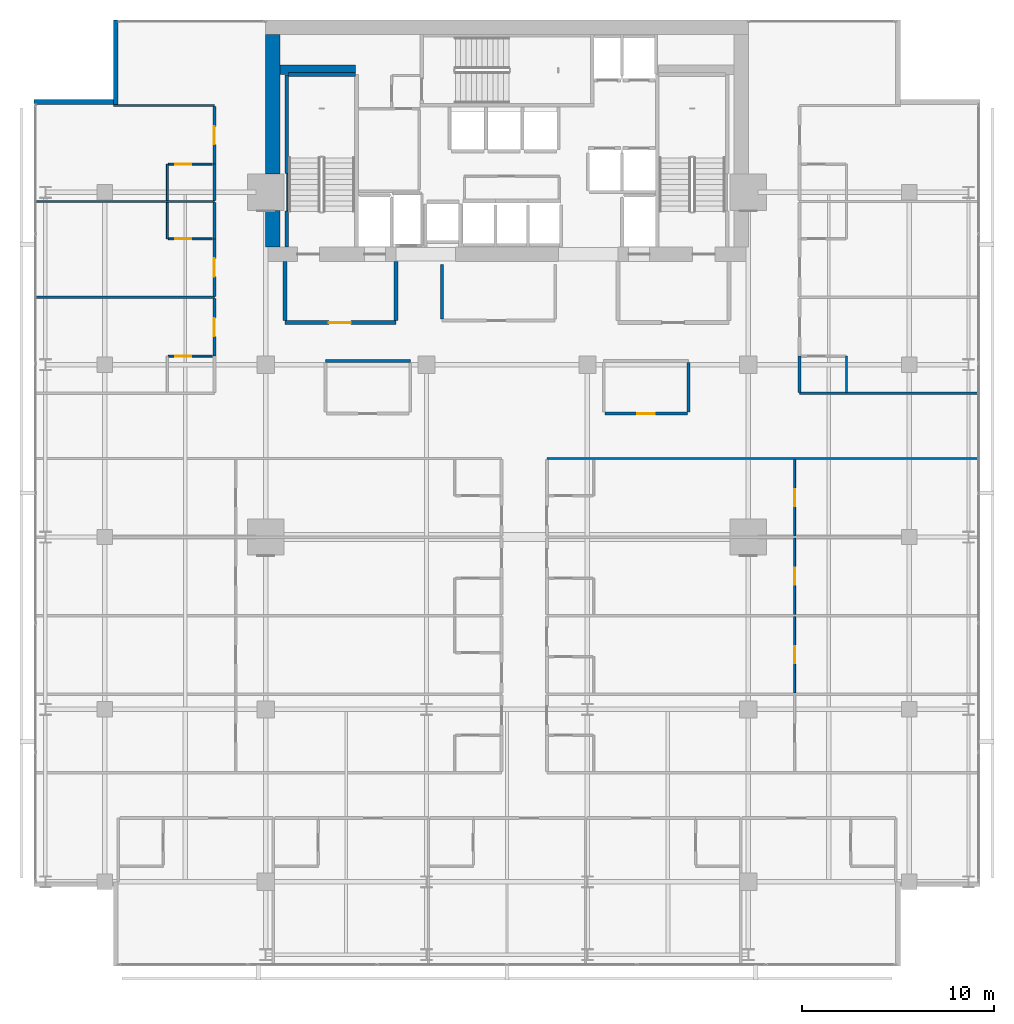
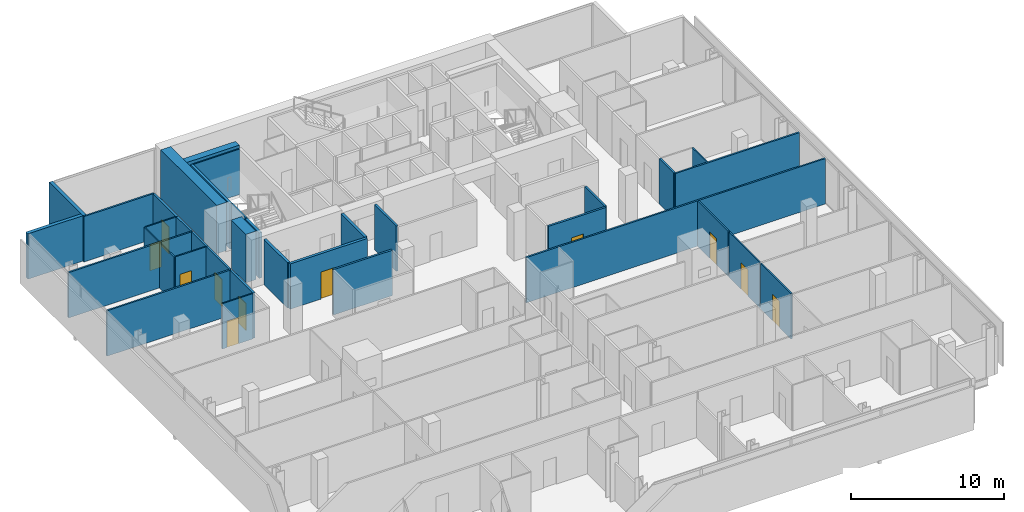
# One storey, part 29 of 34: 36 walls, 11 doors, 11 openings.
"""IFC4 building model written with IfcOpenShell, lengths in metres."""

from ifc_helpers import new_model, si_unit, direction, frame, frame_2d, origin, place, context, subcontext, project, spatial, rectangle, extrude, material, layer, layer_set, type_object, element, fill, save


model = new_model("IFC4")

# Units and contexts
model_context = context("Model", 3, precision=1e-05, world=origin(), true_north=direction((0.0, 1.0)))
body_context = subcontext(model_context, "Body", "Model", "MODEL_VIEW")
ifc_project = project(units=[si_unit("LENGTHUNIT", "METRE"), si_unit("AREAUNIT", "SQUARE_METRE"), si_unit("VOLUMEUNIT", "CUBIC_METRE"), si_unit("PLANEANGLEUNIT", "RADIAN"), si_unit("MASSUNIT", "GRAM", prefix="KILO")], contexts=[model_context])

# Site, building, storey
site_placement = place(None, origin())
site = spatial("IfcSite", under=ifc_project, at=site_placement, CompositionType="ELEMENT")
building_placement = place(site_placement, origin())
building = spatial("IfcBuilding", under=site, at=building_placement, Name="Maruvema Waterfront Hotel and Observation Tower", CompositionType="ELEMENT")
storey_placement = place(building_placement, frame((0.0, 0.0, 173.60009765625)))
storey = spatial("IfcBuildingStorey", under=building, at=storey_placement, Name="L42", CompositionType="ELEMENT", Elevation=173.60009765625)

# Walls
ifc_material_1 = material(Name="Twin-stud acoustic gypsum drywall", Category="gypsum")
ifc_layer_1 = layer(ifc_material_1, 0.14990234375, Name="Acoustic Corridor and Suite Demising Wall 150 mm")
ifc_layer_set_1 = layer_set([ifc_layer_1], Name="Twin-stud acoustic gypsum drywall")
wall_type_1 = type_object("IfcWallType", Name="Acoustic Corridor and Suite Demising Wall 150 mm", PredefinedType="PARTITIONING", material=ifc_layer_set_1)
wall_1_placement = place(storey_placement, frame((34.39990234375, 38.3798828125, 0.0), z_axis=(0.0, 0.0, 1.0), x_axis=(0.0, 1.0, 0.0)))
element("IfcWall", 1, at=wall_1_placement, inside=storey, type_object=wall_type_1, Name="L42 Core Apron K0 West 019", PredefinedType="PARTITIONING", context=body_context, shape_type="SweptSolid", body=[
    extrude(rectangle(XDim=2.840087890625, YDim=0.14990234375, at=frame_2d((1.419921875, 0.0))), origin(), (0.0, 0.0, 1.0), 3.60986328125),
])
wall_2_placement = place(storey_placement, frame((28.320068359375, 36.199951171875, 0.0), z_axis=(0.0, 0.0, 1.0), x_axis=(1.0, 0.0, 0.0)))
element("IfcWall", 2, at=wall_2_placement, inside=storey, type_object=wall_type_1, Name="L42 L42-M1 Back Wall 021", PredefinedType="PARTITIONING", context=body_context, shape_type="SweptSolid", body=[
    extrude(rectangle(XDim=4.429931640625, YDim=0.14990234375, at=frame_2d((2.21484375, 0.0))), origin(), (0.0, 0.0, 1.0), 3.60986328125),
])
wall_3_placement = place(storey_placement, frame((47.280029296875, 33.530029296875, 0.0), z_axis=(0.0, 0.0, 1.0), x_axis=(0.0, 1.0, 0.0)))
element("IfcWall", 3, at=wall_3_placement, inside=storey, type_object=wall_type_1, Name="L42 L42-M2 East Wall 027", PredefinedType="PARTITIONING", context=body_context, shape_type="SweptSolid", body=[
    extrude(rectangle(XDim=2.590087890625, YDim=0.14990234375, at=frame_2d((1.294921875, 0.0))), origin(), (0.0, 0.0, 1.0), 3.60986328125),
])

# Wall, opening, door
wall_4_placement = place(storey_placement, frame((42.909912109375, 33.449951171875, 0.0), z_axis=(0.0, 0.0, 1.0), x_axis=(1.0, 0.0, 0.0)))
wall_4 = element("IfcWall", 4, at=wall_4_placement, inside=storey, type_object=wall_type_1, Name="L42 L42-M2 Front 1 028", PredefinedType="PARTITIONING", context=body_context, shape_type="SweptSolid", body=[
    extrude(rectangle(XDim=4.31005859375, YDim=0.14990234375, at=frame_2d((2.155029296875, 0.0))), origin(), (0.0, 0.0, 1.0), 3.60986328125),
])
opening_1_placement = place(wall_4_placement, frame((1.705078125, 0.0, 0.0)))
opening_1 = element("IfcOpeningElement", 5, at=opening_1_placement, cuts=wall_4, Name="Opening DR-090", PredefinedType="OPENING", context=body_context, shape_type="SweptSolid", body=[
    extrude(rectangle(XDim=0.89990234375, YDim=2.10009765625, at=frame_2d((0.449951171875, 1.050048828125))), frame((0.0, 0.0849609375, 0.0), z_axis=(0.0, -1.0, 0.0), x_axis=(1.0, 0.0, 0.0)), (0.0, 0.0, 1.0), 0.169921875),
])
ifc_material_2 = material(Name="Solid-core lacquered timber leaf", Category="wood")
door_type_1 = type_object("IfcDoorType", Name="Accessible Toilet and Room Door 900x2100 mm", OperationType="NOTDEFINED", PredefinedType="DOOR", material=ifc_material_2)
door_1_placement = place(opening_1_placement, frame((0.89990234375, 0.0, 0.0), z_axis=(0.0, 0.0, 1.0), x_axis=(-1.0, 0.0, 0.0)))
door_1 = element("IfcDoor", 6, at=door_1_placement, inside=storey, type_object=door_type_1, Name="L42 Meeting Room 3 Door", OperationType="SINGLE_SWING_LEFT", OverallHeight=2.10009765625, OverallWidth=0.89990234375, PredefinedType="DOOR", context=body_context, shape_type="SweptSolid", body=[
    extrude(rectangle(XDim=0.89990234375, YDim=2.10009765625, at=frame_2d((0.449951171875, 1.050048828125))), frame((0.0, 0.02490234375, 0.0), z_axis=(0.0, -1.0, 0.0), x_axis=(1.0, 0.0, 0.0)), (0.0, 0.0, 1.0), 0.050048828125),
])
fill(opening_1, door_1)

wall_5_placement = place(storey_placement, frame((22.52001953125, 36.449951171875, 0.0), z_axis=(0.0, 0.0, 1.0), x_axis=(0.0, 1.0, 0.0)))
wall_5 = element("IfcWall", 7, at=wall_5_placement, inside=storey, type_object=wall_type_1, Name="L42 Room L42-NW1 Corridor Wall 110", PredefinedType="PARTITIONING", context=body_context, shape_type="SweptSolid", body=[
    extrude(rectangle(XDim=3.00244140625, YDim=0.14990234375, at=frame_2d((1.501220703125, 0.0))), origin(), (0.0, 0.0, 1.0), 3.60986328125),
])
opening_2_placement = place(wall_5_placement, frame((1.026123046875, 0.0, 0.0)))
opening_2 = element("IfcOpeningElement", 8, at=opening_2_placement, cuts=wall_5, Name="Opening DR-095", PredefinedType="OPENING", context=body_context, shape_type="SweptSolid", body=[
    extrude(rectangle(XDim=0.949951171875, YDim=2.14990234375, at=frame_2d((0.47509765625, 1.074951171875))), frame((0.0, 0.0849609375, 0.0), z_axis=(0.0, -1.0, 0.0), x_axis=(1.0, 0.0, 0.0)), (0.0, 0.0, 1.0), 0.169921875),
])
ifc_material_3 = material(Name="Acoustic solid-core hardwood timber leaf", Category="wood")
door_type_2 = type_object("IfcDoorType", Name="Guestroom Entrance Fire Door 950x2150 mm", OperationType="NOTDEFINED", PredefinedType="DOOR", material=ifc_material_3)
door_2_placement = place(opening_2_placement, origin())
door_2 = element("IfcDoor", 9, at=door_2_placement, inside=storey, type_object=door_type_2, Name="L42 Room L42-NW1 Entrance Door", OperationType="SINGLE_SWING_LEFT", OverallHeight=2.14990234375, OverallWidth=0.949951171875, PredefinedType="DOOR", context=body_context, shape_type="SweptSolid", body=[
    extrude(rectangle(XDim=0.949951171875, YDim=2.14990234375, at=frame_2d((0.47509765625, 1.074951171875))), frame((0.0, 0.02490234375, 0.0), z_axis=(0.0, -1.0, 0.0), x_axis=(1.0, 0.0, 0.0)), (0.0, 0.0, 1.0), 0.050048828125),
])
fill(opening_2, door_2)

# Wall
wall_6_placement = place(storey_placement, frame((53.080078125, 34.56005859375, 0.0), z_axis=(0.0, 0.0, 1.0), x_axis=(0.0, 1.0, 0.0)))
element("IfcWall", 10, at=wall_6_placement, inside=storey, type_object=wall_type_1, Name="L42 Bath L42-NE1 Wall 113", PredefinedType="PARTITIONING", context=body_context, shape_type="SweptSolid", body=[
    extrude(rectangle(XDim=1.889892578125, YDim=0.14990234375, at=frame_2d((0.94482421875, 0.0))), origin(), (0.0, 0.0, 1.0), 3.60986328125),
])

# Wall, opening, door
wall_7_placement = place(storey_placement, frame((22.52001953125, 39.572509765625, 0.0), z_axis=(0.0, 0.0, 1.0), x_axis=(0.0, 1.0, 0.0)))
wall_7 = element("IfcWall", 11, at=wall_7_placement, inside=storey, type_object=wall_type_1, Name="L42 Room L42-NW2 Corridor Wall 119", PredefinedType="PARTITIONING", context=body_context, shape_type="SweptSolid", body=[
    extrude(rectangle(XDim=3.00244140625, YDim=0.14990234375, at=frame_2d((1.501220703125, 0.0))), origin(), (0.0, 0.0, 1.0), 3.60986328125),
])
opening_3_placement = place(wall_7_placement, frame((1.0263671875, 0.0, 0.0)))
opening_3 = element("IfcOpeningElement", 12, at=opening_3_placement, cuts=wall_7, Name="Opening DR-095", PredefinedType="OPENING", context=body_context, shape_type="SweptSolid", body=[
    extrude(rectangle(XDim=0.949951171875, YDim=2.14990234375, at=frame_2d((0.47509765625, 1.074951171875))), frame((0.0, 0.0849609375, 0.0), z_axis=(0.0, -1.0, 0.0), x_axis=(1.0, 0.0, 0.0)), (0.0, 0.0, 1.0), 0.169921875),
])
door_3_placement = place(opening_3_placement, origin())
door_3 = element("IfcDoor", 13, at=door_3_placement, inside=storey, type_object=door_type_2, Name="L42 Room L42-NW2 Entrance Door", OperationType="SINGLE_SWING_LEFT", OverallHeight=2.14990234375, OverallWidth=0.949951171875, PredefinedType="DOOR", context=body_context, shape_type="SweptSolid", body=[
    extrude(rectangle(XDim=0.949951171875, YDim=2.14990234375, at=frame_2d((0.47509765625, 1.074951171875))), frame((0.0, 0.02490234375, 0.0), z_axis=(0.0, -1.0, 0.0), x_axis=(1.0, 0.0, 0.0)), (0.0, 0.0, 1.0), 0.050048828125),
])
fill(opening_3, door_3)

# Walls
for number, where, z_axis, x_axis, name in (
    (14, (22.52001953125, 42.574951171875, 0.0), (0.0, 0.0, 1.0), (0.0, 1.0, 0.0), "L42 Bath L42-NW2 Wall 120"),
    (15, (22.52001953125, 44.5849609375, 0.0), (0.0, 0.0, 1.0), (0.0, 1.0, 0.0), "L42 Bath L42-NW3 Wall 129"),
):
    element("IfcWall", number, at=place(storey_placement, frame(where, z_axis=z_axis, x_axis=x_axis)), inside=storey, type_object=wall_type_1, Name=name, PredefinedType="PARTITIONING", context=body_context, shape_type="SweptSolid", body=[
        extrude(rectangle(XDim=1.89013671875, YDim=0.14990234375, at=frame_2d((0.945068359375, 0.0))), origin(), (0.0, 0.0, 1.0), 3.60986328125),
    ])

# Wall, opening, door
wall_8_placement = place(storey_placement, frame((22.52001953125, 46.47509765625, 0.0), z_axis=(0.0, 0.0, 1.0), x_axis=(0.0, 1.0, 0.0)))
wall_8 = element("IfcWall", 16, at=wall_8_placement, inside=storey, type_object=wall_type_1, Name="L42 Room L42-NW3 Corridor Wall 130", PredefinedType="PARTITIONING", context=body_context, shape_type="SweptSolid", body=[
    extrude(rectangle(XDim=3.00244140625, YDim=0.14990234375, at=frame_2d((1.501220703125, 0.0))), origin(), (0.0, 0.0, 1.0), 3.60986328125),
])
opening_4_placement = place(wall_8_placement, frame((1.026123046875, 0.0, 0.0)))
opening_4 = element("IfcOpeningElement", 17, at=opening_4_placement, cuts=wall_8, Name="Opening DR-095", PredefinedType="OPENING", context=body_context, shape_type="SweptSolid", body=[
    extrude(rectangle(XDim=0.949951171875, YDim=2.14990234375, at=frame_2d((0.47509765625, 1.074951171875))), frame((0.0, 0.0849609375, 0.0), z_axis=(0.0, -1.0, 0.0), x_axis=(1.0, 0.0, 0.0)), (0.0, 0.0, 1.0), 0.169921875),
])
door_4_placement = place(opening_4_placement, origin())
door_4 = element("IfcDoor", 18, at=door_4_placement, inside=storey, type_object=door_type_2, Name="L42 Room L42-NW3 Entrance Door", OperationType="SINGLE_SWING_LEFT", OverallHeight=2.14990234375, OverallWidth=0.949951171875, PredefinedType="DOOR", context=body_context, shape_type="SweptSolid", body=[
    extrude(rectangle(XDim=0.949951171875, YDim=2.14990234375, at=frame_2d((0.47509765625, 1.074951171875))), frame((0.0, 0.02490234375, 0.0), z_axis=(0.0, -1.0, 0.0), x_axis=(1.0, 0.0, 0.0)), (0.0, 0.0, 1.0), 0.050048828125),
])
fill(opening_4, door_4)

# Walls
ifc_material_4 = material(Name="Precast concrete C45/55", Category="concrete")
ifc_layer_2 = layer(ifc_material_4, 0.199951171875, Name="Core Shaft and Stairwell Enclosure Wall 200 mm")
ifc_layer_set_2 = layer_set([ifc_layer_2], Name="Precast concrete C45/55")
wall_type_2 = type_object("IfcWallType", Name="Core Shaft and Stairwell Enclosure Wall 200 mm", PredefinedType="SOLIDWALL", material=ifc_layer_set_2)
wall_9_placement = place(storey_placement, frame((26.300048828125, 42.14990234375, 0.0), z_axis=(0.0, 0.0, 1.0), x_axis=(0.0, 1.0, 0.0)))
element("IfcWall", 19, at=wall_9_placement, inside=storey, type_object=wall_type_2, Name="L42 Stairwell ST-01 Shaft Lining Wall", PredefinedType="SOLIDWALL", context=body_context, shape_type="SweptSolid", body=[
    extrude(rectangle(XDim=1.8701171875, YDim=0.199951171875, at=frame_2d((0.93505859375, 0.0))), origin(), (0.0, 0.0, 1.0), 3.60986328125),
])
wall_10_placement = place(storey_placement, frame((26.300048828125, 45.97998046875, 0.0), z_axis=(0.0, 0.0, 1.0), x_axis=(0.0, 1.0, 0.0)))
element("IfcWall", 20, at=wall_10_placement, inside=storey, type_object=wall_type_2, Name="L42 Stairwell ST-01 Shaft Lining Wall", PredefinedType="SOLIDWALL", context=body_context, shape_type="SweptSolid", body=[
    extrude(rectangle(XDim=5.14013671875, YDim=0.199951171875, at=frame_2d((2.570068359375, 0.0))), origin(), (0.0, 0.0, 1.0), 3.60986328125),
])
wall_11_placement = place(storey_placement, frame((26.3798828125, 51.14990234375, 0.0), z_axis=(0.0, 0.0, 1.0), x_axis=(1.0, 0.0, 0.0)))
element("IfcWall", 21, at=wall_11_placement, inside=storey, type_object=wall_type_2, Name="L42 Stairwell ST-01 Shaft Lining Wall", PredefinedType="SOLIDWALL", context=body_context, shape_type="SweptSolid", body=[
    extrude(rectangle(XDim=3.5, YDim=0.199951171875, at=frame_2d((1.75, 0.0))), origin(), (0.0, 0.0, 1.0), 3.60986328125),
])
ifc_material_5 = material(Name="Concrete C70/85", Category="concrete")
ifc_layer_3 = layer(ifc_material_5, 0.5, Name="Core Shear Wall 500 mm")
ifc_layer_set_3 = layer_set([ifc_layer_3], Name="Concrete C70/85")
wall_type_3 = type_object("IfcWallType", Name="Core Shear Wall 500 mm", PredefinedType="SHEAR", material=ifc_layer_set_3)
wall_12_placement = place(storey_placement, frame((25.949951171875, 51.39990234375, 0.0), z_axis=(0.0, 0.0, 1.0), x_axis=(1.0, 0.0, 0.0)))
element("IfcWall", 22, at=wall_12_placement, inside=storey, type_object=wall_type_3, Name="L42 Internal Core Shear Wall NW 500 mm", PredefinedType="SHEAR", context=body_context, shape_type="SweptSolid", body=[
    extrude(rectangle(XDim=3.949951171875, YDim=0.5, at=frame_2d((1.97509765625, 0.0))), origin(), (0.0, 0.0, 1.0), 3.849853515625),
])
ifc_material_6 = material(Name="Concrete C70/85", Category="concrete")
ifc_layer_4 = layer(ifc_material_6, 0.75, Name="Core Shear Wall 750 mm")
ifc_layer_set_4 = layer_set([ifc_layer_4], Name="Concrete C70/85")
wall_type_4 = type_object("IfcWallType", Name="Core Shear Wall 750 mm", PredefinedType="SHEAR", material=ifc_layer_set_4)
wall_13_placement = place(storey_placement, frame((25.574951171875, 42.14990234375, 0.0), z_axis=(0.0, 0.0, 1.0), x_axis=(0.0, 1.0, 0.0)))
element("IfcWall", 23, at=wall_13_placement, inside=storey, type_object=wall_type_4, Name="L42 West-South Core Shear Wall", PredefinedType="SHEAR", context=body_context, shape_type="SweptSolid", body=[
    extrude(rectangle(XDim=1.900146484375, YDim=0.75, at=frame_2d((0.9501953125, 0.0))), origin(), (0.0, 0.0, 1.0), 3.849853515625),
])
wall_14_placement = place(storey_placement, frame((25.574951171875, 45.949951171875, 0.0), z_axis=(0.0, 0.0, 1.0), x_axis=(0.0, 1.0, 0.0)))
element("IfcWall", 24, at=wall_14_placement, inside=storey, type_object=wall_type_4, Name="L42 West-North Core Shear Wall", PredefinedType="SHEAR", context=body_context, shape_type="SweptSolid", body=[
    extrude(rectangle(XDim=7.300048828125, YDim=0.75, at=frame_2d((3.64990234375, 0.0))), origin(), (0.0, 0.0, 1.0), 3.849853515625),
])

# Wall, opening, door
ifc_material_7 = material(Name="Moisture-resistant cement-board drywall", Category="gypsum")
ifc_layer_5 = layer(ifc_material_7, 0.10009765625, Name="En-Suite Moisture-Resistant Partition 100 mm")
ifc_layer_set_5 = layer_set([ifc_layer_5], Name="Moisture-resistant cement-board drywall")
wall_type_5 = type_object("IfcWallType", Name="En-Suite Moisture-Resistant Partition 100 mm", PredefinedType="PARTITIONING", material=ifc_layer_set_5)
wall_15_placement = place(storey_placement, frame((52.818359375, 18.860107421875, 0.0), z_axis=(0.0, 0.0, 1.0), x_axis=(0.0, 1.0, 0.0)))
wall_15 = element("IfcWall", 25, at=wall_15_placement, inside=storey, type_object=wall_type_5, Name="L42 Suite L42-E2 Split 080", PredefinedType="PARTITIONING", context=body_context, shape_type="SweptSolid", body=[
    extrude(rectangle(XDim=3.97998046875, YDim=0.10009765625, at=frame_2d((1.989990234375, 0.0))), origin(), (0.0, 0.0, 1.0), 3.60986328125),
])
opening_5_placement = place(wall_15_placement, frame((1.5400390625, 0.0, 0.0)))
opening_5 = element("IfcOpeningElement", 26, at=opening_5_placement, cuts=wall_15, Name="Opening DR-090", PredefinedType="OPENING", context=body_context, shape_type="SweptSolid", body=[
    extrude(rectangle(XDim=0.89990234375, YDim=2.10009765625, at=frame_2d((0.449951171875, 1.050048828125))), frame((0.0, 0.06005859375, 0.0), z_axis=(0.0, -1.0, 0.0), x_axis=(1.0, 0.0, 0.0)), (0.0, 0.0, 1.0), 0.1201171875),
])
door_5_placement = place(opening_5_placement, frame((0.89990234375, 0.0, 0.0), z_axis=(0.0, 0.0, 1.0), x_axis=(-1.0, 0.0, 0.0)))
door_5 = element("IfcDoor", 27, at=door_5_placement, inside=storey, type_object=door_type_1, Name="L42 Suite L42-E2 Bedroom Door", OperationType="SINGLE_SWING_LEFT", OverallHeight=2.10009765625, OverallWidth=0.89990234375, PredefinedType="DOOR", context=body_context, shape_type="SweptSolid", body=[
    extrude(rectangle(XDim=0.89990234375, YDim=2.10009765625, at=frame_2d((0.449951171875, 1.050048828125))), frame((0.0, 0.02490234375, 0.0), z_axis=(0.0, -1.0, 0.0), x_axis=(1.0, 0.0, 0.0)), (0.0, 0.0, 1.0), 0.050048828125),
])
fill(opening_5, door_5)

wall_16_placement = place(storey_placement, frame((52.818359375, 22.9599609375, 0.0), z_axis=(0.0, 0.0, 1.0), x_axis=(0.0, 1.0, 0.0)))
wall_16 = element("IfcWall", 28, at=wall_16_placement, inside=storey, type_object=wall_type_5, Name="L42 Suite L42-E3 Split 092", PredefinedType="PARTITIONING", context=body_context, shape_type="SweptSolid", body=[
    extrude(rectangle(XDim=3.97998046875, YDim=0.10009765625, at=frame_2d((1.989990234375, 0.0))), origin(), (0.0, 0.0, 1.0), 3.60986328125),
])
opening_6_placement = place(wall_16_placement, frame((1.5400390625, 0.0, 0.0)))
opening_6 = element("IfcOpeningElement", 29, at=opening_6_placement, cuts=wall_16, Name="Opening DR-090", PredefinedType="OPENING", context=body_context, shape_type="SweptSolid", body=[
    extrude(rectangle(XDim=0.89990234375, YDim=2.10009765625, at=frame_2d((0.449951171875, 1.050048828125))), frame((0.0, 0.06005859375, 0.0), z_axis=(0.0, -1.0, 0.0), x_axis=(1.0, 0.0, 0.0)), (0.0, 0.0, 1.0), 0.1201171875),
])
door_6_placement = place(opening_6_placement, frame((0.89990234375, 0.0, 0.0), z_axis=(0.0, 0.0, 1.0), x_axis=(-1.0, 0.0, 0.0)))
door_6 = element("IfcDoor", 30, at=door_6_placement, inside=storey, type_object=door_type_1, Name="L42 Suite L42-E3 Bedroom Door", OperationType="SINGLE_SWING_LEFT", OverallHeight=2.10009765625, OverallWidth=0.89990234375, PredefinedType="DOOR", context=body_context, shape_type="SweptSolid", body=[
    extrude(rectangle(XDim=0.89990234375, YDim=2.10009765625, at=frame_2d((0.449951171875, 1.050048828125))), frame((0.0, 0.02490234375, 0.0), z_axis=(0.0, -1.0, 0.0), x_axis=(1.0, 0.0, 0.0)), (0.0, 0.0, 1.0), 0.050048828125),
])
fill(opening_6, door_6)

wall_17_placement = place(storey_placement, frame((52.818359375, 27.06005859375, 0.0), z_axis=(0.0, 0.0, 1.0), x_axis=(0.0, 1.0, 0.0)))
wall_17 = element("IfcWall", 31, at=wall_17_placement, inside=storey, type_object=wall_type_5, Name="L42 Suite L42-E4 Split 104", PredefinedType="PARTITIONING", context=body_context, shape_type="SweptSolid", body=[
    extrude(rectangle(XDim=3.97998046875, YDim=0.10009765625, at=frame_2d((1.989990234375, 0.0))), origin(), (0.0, 0.0, 1.0), 3.60986328125),
])
opening_7_placement = place(wall_17_placement, frame((1.5400390625, 0.0, 0.0)))
opening_7 = element("IfcOpeningElement", 32, at=opening_7_placement, cuts=wall_17, Name="Opening DR-090", PredefinedType="OPENING", context=body_context, shape_type="SweptSolid", body=[
    extrude(rectangle(XDim=0.89990234375, YDim=2.10009765625, at=frame_2d((0.449951171875, 1.050048828125))), frame((0.0, 0.06005859375, 0.0), z_axis=(0.0, -1.0, 0.0), x_axis=(1.0, 0.0, 0.0)), (0.0, 0.0, 1.0), 0.1201171875),
])
door_7_placement = place(opening_7_placement, frame((0.89990234375, 0.0, 0.0), z_axis=(0.0, 0.0, 1.0), x_axis=(-1.0, 0.0, 0.0)))
door_7 = element("IfcDoor", 33, at=door_7_placement, inside=storey, type_object=door_type_1, Name="L42 Suite L42-E4 Bedroom Door", OperationType="SINGLE_SWING_LEFT", OverallHeight=2.10009765625, OverallWidth=0.89990234375, PredefinedType="DOOR", context=body_context, shape_type="SweptSolid", body=[
    extrude(rectangle(XDim=0.89990234375, YDim=2.10009765625, at=frame_2d((0.449951171875, 1.050048828125))), frame((0.0, 0.02490234375, 0.0), z_axis=(0.0, -1.0, 0.0), x_axis=(1.0, 0.0, 0.0)), (0.0, 0.0, 1.0), 0.050048828125),
])
fill(opening_7, door_7)

wall_18_placement = place(storey_placement, frame((20.1201171875, 36.449951171875, 0.0), z_axis=(0.0, 0.0, 1.0), x_axis=(1.0, 0.0, 0.0)))
wall_18 = element("IfcWall", 34, at=wall_18_placement, inside=storey, type_object=wall_type_5, Name="L42 En-Suite L42-NW1 N 112", PredefinedType="PARTITIONING", context=body_context, shape_type="SweptSolid", body=[
    extrude(rectangle(XDim=2.2998046875, YDim=0.10009765625, at=frame_2d((1.14990234375, 0.0))), origin(), (0.0, 0.0, 1.0), 3.60986328125),
])
opening_8_placement = place(wall_18_placement, frame((0.35009765625, 0.0, 0.0)))
opening_8 = element("IfcOpeningElement", 35, at=opening_8_placement, cuts=wall_18, Name="Opening DR-085", PredefinedType="OPENING", context=body_context, shape_type="SweptSolid", body=[
    extrude(rectangle(XDim=0.85009765625, YDim=2.10009765625, at=frame_2d((0.425048828125, 1.050048828125))), frame((0.0, 0.06005859375, 0.0), z_axis=(0.0, -1.0, 0.0), x_axis=(1.0, 0.0, 0.0)), (0.0, 0.0, 1.0), 0.1201171875),
])
ifc_material_8 = material(Name="Moisture-resistant solid timber leaf", Category="wood")
door_type_3 = type_object("IfcDoorType", Name="En-Suite Bathroom Door 850x2100 mm", OperationType="NOTDEFINED", PredefinedType="DOOR", material=ifc_material_8)
door_8_placement = place(opening_8_placement, origin())
door_8 = element("IfcDoor", 36, at=door_8_placement, inside=storey, type_object=door_type_3, Name="L42 En-Suite L42-NW1 Door", OperationType="SINGLE_SWING_RIGHT", OverallHeight=2.10009765625, OverallWidth=0.85009765625, PredefinedType="DOOR", context=body_context, shape_type="SweptSolid", body=[
    extrude(rectangle(XDim=0.85009765625, YDim=2.10009765625, at=frame_2d((0.425048828125, 1.050048828125))), frame((0.0, 0.02490234375, 0.0), z_axis=(0.0, -1.0, 0.0), x_axis=(1.0, 0.0, 0.0)), (0.0, 0.0, 1.0), 0.050048828125),
])
fill(opening_8, door_8)

# Walls
wall_19_placement = place(storey_placement, frame((55.530029296875, 34.56005859375, 0.0), z_axis=(0.0, 0.0, 1.0), x_axis=(0.0, 1.0, 0.0)))
element("IfcWall", 37, at=wall_19_placement, inside=storey, type_object=wall_type_5, Name="L42 En-Suite L42-NE1 E 115", PredefinedType="PARTITIONING", context=body_context, shape_type="SweptSolid", body=[
    extrude(rectangle(XDim=1.889892578125, YDim=0.10009765625, at=frame_2d((0.94482421875, 0.0))), origin(), (0.0, 0.0, 1.0), 3.60986328125),
])
wall_20_placement = place(storey_placement, frame((20.070068359375, 42.574951171875, 0.0), z_axis=(0.0, 0.0, 1.0), x_axis=(0.0, 1.0, 0.0)))
element("IfcWall", 38, at=wall_20_placement, inside=storey, type_object=wall_type_5, Name="L42 En-Suite L42-NW2 W 121", PredefinedType="PARTITIONING", context=body_context, shape_type="SweptSolid", body=[
    extrude(rectangle(XDim=1.89013671875, YDim=0.10009765625, at=frame_2d((0.945068359375, 0.0))), origin(), (0.0, 0.0, 1.0), 3.60986328125),
])

# Wall, opening, door
wall_21_placement = place(storey_placement, frame((20.1201171875, 42.574951171875, 0.0), z_axis=(0.0, 0.0, 1.0), x_axis=(1.0, 0.0, 0.0)))
wall_21 = element("IfcWall", 39, at=wall_21_placement, inside=storey, type_object=wall_type_5, Name="L42 En-Suite L42-NW2 S 122", PredefinedType="PARTITIONING", context=body_context, shape_type="SweptSolid", body=[
    extrude(rectangle(XDim=2.2998046875, YDim=0.10009765625, at=frame_2d((1.14990234375, 0.0))), origin(), (0.0, 0.0, 1.0), 3.60986328125),
])
opening_9_placement = place(wall_21_placement, frame((0.35009765625, 0.0, 0.0)))
opening_9 = element("IfcOpeningElement", 40, at=opening_9_placement, cuts=wall_21, Name="Opening DR-085", PredefinedType="OPENING", context=body_context, shape_type="SweptSolid", body=[
    extrude(rectangle(XDim=0.85009765625, YDim=2.10009765625, at=frame_2d((0.425048828125, 1.050048828125))), frame((0.0, 0.06005859375, 0.0), z_axis=(0.0, -1.0, 0.0), x_axis=(1.0, 0.0, 0.0)), (0.0, 0.0, 1.0), 0.1201171875),
])
door_9_placement = place(opening_9_placement, frame((0.85009765625, 0.0, 0.0), z_axis=(0.0, 0.0, 1.0), x_axis=(-1.0, 0.0, 0.0)))
door_9 = element("IfcDoor", 41, at=door_9_placement, inside=storey, type_object=door_type_3, Name="L42 En-Suite L42-NW2 Door", OperationType="SINGLE_SWING_RIGHT", OverallHeight=2.10009765625, OverallWidth=0.85009765625, PredefinedType="DOOR", context=body_context, shape_type="SweptSolid", body=[
    extrude(rectangle(XDim=0.85009765625, YDim=2.10009765625, at=frame_2d((0.425048828125, 1.050048828125))), frame((0.0, 0.02490234375, 0.0), z_axis=(0.0, -1.0, 0.0), x_axis=(1.0, 0.0, 0.0)), (0.0, 0.0, 1.0), 0.050048828125),
])
fill(opening_9, door_9)

# Wall
wall_22_placement = place(storey_placement, frame((20.070068359375, 44.5849609375, 0.0), z_axis=(0.0, 0.0, 1.0), x_axis=(0.0, 1.0, 0.0)))
element("IfcWall", 42, at=wall_22_placement, inside=storey, type_object=wall_type_5, Name="L42 En-Suite L42-NW3 W 131", PredefinedType="PARTITIONING", context=body_context, shape_type="SweptSolid", body=[
    extrude(rectangle(XDim=1.89013671875, YDim=0.10009765625, at=frame_2d((0.945068359375, 0.0))), origin(), (0.0, 0.0, 1.0), 3.60986328125),
])

# Wall, opening, door
wall_23_placement = place(storey_placement, frame((20.1201171875, 46.47509765625, 0.0), z_axis=(0.0, 0.0, 1.0), x_axis=(1.0, 0.0, 0.0)))
wall_23 = element("IfcWall", 43, at=wall_23_placement, inside=storey, type_object=wall_type_5, Name="L42 En-Suite L42-NW3 N 132", PredefinedType="PARTITIONING", context=body_context, shape_type="SweptSolid", body=[
    extrude(rectangle(XDim=2.2998046875, YDim=0.10009765625, at=frame_2d((1.14990234375, 0.0))), origin(), (0.0, 0.0, 1.0), 3.60986328125),
])
opening_10_placement = place(wall_23_placement, frame((0.35009765625, 0.0, 0.0)))
opening_10 = element("IfcOpeningElement", 44, at=opening_10_placement, cuts=wall_23, Name="Opening DR-085", PredefinedType="OPENING", context=body_context, shape_type="SweptSolid", body=[
    extrude(rectangle(XDim=0.85009765625, YDim=2.10009765625, at=frame_2d((0.425048828125, 1.050048828125))), frame((0.0, 0.06005859375, 0.0), z_axis=(0.0, -1.0, 0.0), x_axis=(1.0, 0.0, 0.0)), (0.0, 0.0, 1.0), 0.1201171875),
])
door_10_placement = place(opening_10_placement, origin())
door_10 = element("IfcDoor", 45, at=door_10_placement, inside=storey, type_object=door_type_3, Name="L42 En-Suite L42-NW3 Door", OperationType="SINGLE_SWING_RIGHT", OverallHeight=2.10009765625, OverallWidth=0.85009765625, PredefinedType="DOOR", context=body_context, shape_type="SweptSolid", body=[
    extrude(rectangle(XDim=0.85009765625, YDim=2.10009765625, at=frame_2d((0.425048828125, 1.050048828125))), frame((0.0, 0.02490234375, 0.0), z_axis=(0.0, -1.0, 0.0), x_axis=(1.0, 0.0, 0.0)), (0.0, 0.0, 1.0), 0.050048828125),
])
fill(opening_10, door_10)

# Walls
ifc_material_9 = material(Name="Precast concrete C45/55 with honed Pernambuco granite facing", Category="masonry")
ifc_layer_6 = layer(ifc_material_9, 0.260009765625, Name="Exterior Granite Clad Spandrel and Pier Wall 260 mm")
ifc_layer_set_6 = layer_set([ifc_layer_6], Name="Precast concrete C45/55 with honed Pernambuco granite facing")
wall_type_6 = type_object("IfcWallType", Name="Exterior Granite Clad Spandrel and Pier Wall 260 mm", PredefinedType="SOLIDWALL", material=ifc_layer_set_6)
for number, where, z_axis, x_axis, name in (
    (46, (17.3701171875, 49.60009765625, 0.0), (0.0, 0.0, 1.0), (0.0, 1.0, 0.0), "L42 Corner Notch Granite Pier Wall NW1"),
    (47, (13.10009765625, 49.72998046875, 0.0), (0.0, 0.0, 1.0), (1.0, 0.0, 0.0), "L42 Corner Notch Granite Pier Wall NW2"),
):
    element("IfcWall", number, at=place(storey_placement, frame(where, z_axis=z_axis, x_axis=x_axis)), inside=storey, type_object=wall_type_6, Name=name, PredefinedType="SOLIDWALL", context=body_context, shape_type="SweptSolid", body=[
        extrude(rectangle(XDim=4.39990234375, YDim=0.260009765625, at=frame_2d((2.199951171875, 0.0))), origin(), (0.0, 0.0, 1.0), 3.60986328125),
    ])

# Wall, opening, door
ifc_material_10 = material(Name="Autoclaved cellular concrete blockwork", Category="masonry")
ifc_layer_7 = layer(ifc_material_10, 0.199951171875, Name="Fire Compartment Masonry Wall 200 mm")
ifc_layer_set_7 = layer_set([ifc_layer_7], Name="Autoclaved cellular concrete blockwork")
wall_type_7 = type_object("IfcWallType", Name="Fire Compartment Masonry Wall 200 mm", PredefinedType="PARTITIONING", material=ifc_layer_set_7)
wall_24_placement = place(storey_placement, frame((26.199951171875, 38.199951171875, 0.0), z_axis=(0.0, 0.0, 1.0), x_axis=(1.0, 0.0, 0.0)))
wall_24 = element("IfcWall", 48, at=wall_24_placement, inside=storey, type_object=wall_type_7, Name="L42 FFL West South Wall 001", PredefinedType="PARTITIONING", context=body_context, shape_type="SweptSolid", body=[
    extrude(rectangle(XDim=5.800048828125, YDim=0.199951171875, at=frame_2d((2.89990234375, 0.0))), origin(), (0.0, 0.0, 1.0), 3.60986328125),
])
opening_11_placement = place(wall_24_placement, frame((2.300048828125, 0.0, 0.0)))
opening_11 = element("IfcOpeningElement", 49, at=opening_11_placement, cuts=wall_24, Name="Opening FD-115", PredefinedType="OPENING", context=body_context, shape_type="SweptSolid", body=[
    extrude(rectangle(XDim=1.14990234375, YDim=2.14990234375, at=frame_2d((0.574951171875, 1.074951171875))), frame((0.0, 0.10986328125, 0.0), z_axis=(0.0, -1.0, 0.0), x_axis=(1.0, 0.0, 0.0)), (0.0, 0.0, 1.0), 0.219970703125),
])
ifc_material_11 = material(Name="Fire-rated galvanised steel and vision glass", Category="steel")
door_type_4 = type_object("IfcDoorType", Name="Firefighting Lobby Fire Door 1150x2150 mm", OperationType="NOTDEFINED", PredefinedType="DOOR", material=ifc_material_11)
door_11_placement = place(opening_11_placement, frame((1.14990234375, 0.0, 0.0), z_axis=(0.0, 0.0, 1.0), x_axis=(-1.0, 0.0, 0.0)))
door_11 = element("IfcDoor", 50, at=door_11_placement, inside=storey, type_object=door_type_4, Name="L42 Firefighting Lobby West Door", OperationType="SINGLE_SWING_LEFT", OverallHeight=2.14990234375, OverallWidth=1.14990234375, PredefinedType="DOOR", context=body_context, shape_type="SweptSolid", body=[
    extrude(rectangle(XDim=1.14990234375, YDim=2.14990234375, at=frame_2d((0.574951171875, 1.074951171875))), frame((0.0, 0.02490234375, 0.0), z_axis=(0.0, -1.0, 0.0), x_axis=(1.0, 0.0, 0.0)), (0.0, 0.0, 1.0), 0.050048828125),
])
fill(opening_11, door_11)

# Walls
for number, where, z_axis, x_axis, name in (
    (51, (26.199951171875, 38.31005859375, 0.0), (0.0, 0.0, 1.0), (0.0, 1.0, 0.0), "L42 FFL West West Wall 002"),
    (52, (32.0, 38.31005859375, 0.0), (0.0, 0.0, 1.0), (0.0, 1.0, 0.0), "L42 FFL West East Wall 003"),
):
    element("IfcWall", number, at=place(storey_placement, frame(where, z_axis=z_axis, x_axis=x_axis)), inside=storey, type_object=wall_type_7, Name=name, PredefinedType="PARTITIONING", context=body_context, shape_type="SweptSolid", body=[
        extrude(rectangle(XDim=3.06982421875, YDim=0.199951171875, at=frame_2d((1.534912109375, 0.0))), origin(), (0.0, 0.0, 1.0), 3.60986328125),
    ])
ifc_material_12 = material(Name="Acoustic gypsum plasterboard drywall", Category="gypsum")
ifc_layer_8 = layer(ifc_material_12, 0.125, Name="Guestroom Acoustic Demising Wall 125 mm")
ifc_layer_set_8 = layer_set([ifc_layer_8], Name="Acoustic gypsum plasterboard drywall")
wall_type_8 = type_object("IfcWallType", Name="Guestroom Acoustic Demising Wall 125 mm", PredefinedType="PARTITIONING", material=ifc_layer_set_8)
wall_25_placement = place(storey_placement, frame((39.8798828125, 31.10009765625, 0.0), z_axis=(0.0, 0.0, 1.0), x_axis=(1.0, 0.0, 0.0)))
element("IfcWall", 53, at=wall_25_placement, inside=storey, type_object=wall_type_8, Name="L42 Z2 E Top End 058", PredefinedType="PARTITIONING", context=body_context, shape_type="SweptSolid", body=[
    extrude(rectangle(XDim=22.52001953125, YDim=0.125, at=frame_2d((11.260009765625, 0.0))), origin(), (0.0, 0.0, 1.0), 3.60986328125),
])
wall_26_placement = place(storey_placement, frame((53.080078125, 34.5, 0.0), z_axis=(0.0, 0.0, 1.0), x_axis=(1.0, 0.0, 0.0)))
element("IfcWall", 54, at=wall_26_placement, inside=storey, type_object=wall_type_8, Name="L42 Z2 NE Bot End 106", PredefinedType="PARTITIONING", context=body_context, shape_type="SweptSolid", body=[
    extrude(rectangle(XDim=9.31982421875, YDim=0.125, at=frame_2d((4.659912109375, 0.0))), origin(), (0.0, 0.0, 1.0), 3.60986328125),
])
wall_27_placement = place(storey_placement, frame((17.239990234375, 49.53759765625, 0.0), z_axis=(0.0, 0.0, 1.0), x_axis=(1.0, 0.0, 0.0)))
element("IfcWall", 55, at=wall_27_placement, inside=storey, type_object=wall_type_8, Name="L42 Z2 NW Top End 107", PredefinedType="PARTITIONING", context=body_context, shape_type="SweptSolid", body=[
    extrude(rectangle(XDim=5.280029296875, YDim=0.125, at=frame_2d((2.64013671875, 0.0))), origin(), (0.0, 0.0, 1.0), 3.60986328125),
])
for number, where, z_axis, x_axis, name in (
    (56, (13.199951171875, 39.512451171875, 0.0), (0.0, 0.0, 1.0), (1.0, 0.0, 0.0), "L42 Z2 NW Demising 2 117"),
    (57, (13.199951171875, 44.52490234375, 0.0), (0.0, 0.0, 1.0), (1.0, 0.0, 0.0), "L42 Z2 NW Demising 3 127"),
):
    element("IfcWall", number, at=place(storey_placement, frame(where, z_axis=z_axis, x_axis=x_axis)), inside=storey, type_object=wall_type_8, Name=name, PredefinedType="PARTITIONING", context=body_context, shape_type="SweptSolid", body=[
        extrude(rectangle(XDim=9.320068359375, YDim=0.125, at=frame_2d((4.66015625, 0.0))), origin(), (0.0, 0.0, 1.0), 3.60986328125),
    ])
ifc_material_13 = material(Name="Precast concrete C45/55", Category="concrete")
ifc_layer_9 = layer(ifc_material_13, 0.10009765625, Name="Stairwell Stringer Cheek Wall 100 mm")
ifc_layer_set_9 = layer_set([ifc_layer_9], Name="Precast concrete C45/55")
wall_type_9 = type_object("IfcWallType", Name="Stairwell Stringer Cheek Wall 100 mm", PredefinedType="SOLIDWALL", material=ifc_layer_set_9)
wall_28_placement = place(storey_placement, frame((26.35205078125, 44.0400390625, 0.0), z_axis=(0.0, 0.0, 1.0), x_axis=(0.0, 1.0, 0.0)))
element("IfcWall", 58, at=wall_28_placement, inside=storey, type_object=wall_type_9, Name="L42 Stairwell ST-01 Mega-Column Cheek Wall", PredefinedType="SOLIDWALL", context=body_context, shape_type="SweptSolid", body=[
    extrude(rectangle(XDim=1.919921875, YDim=0.10009765625, at=frame_2d((0.9599609375, 0.0))), origin(), (0.0, 0.0, 1.0), 3.60986328125),
])

save(model, "model.ifc")
